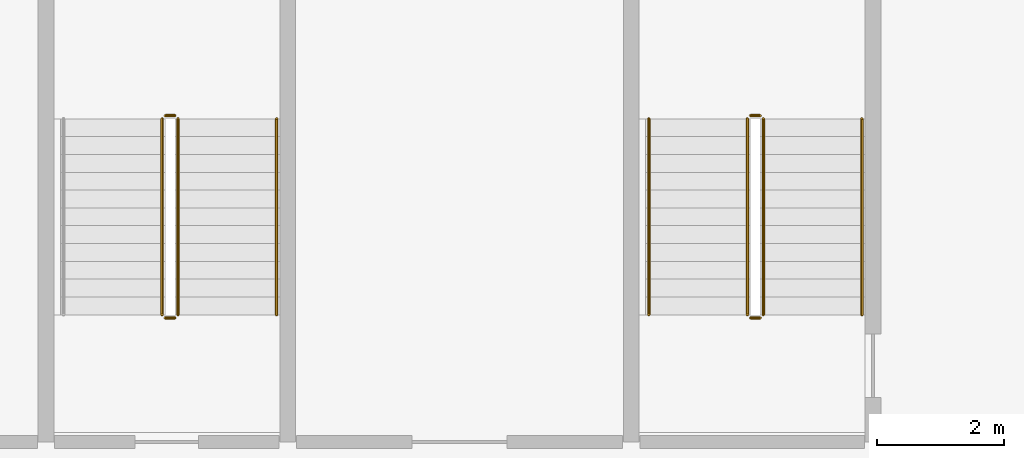
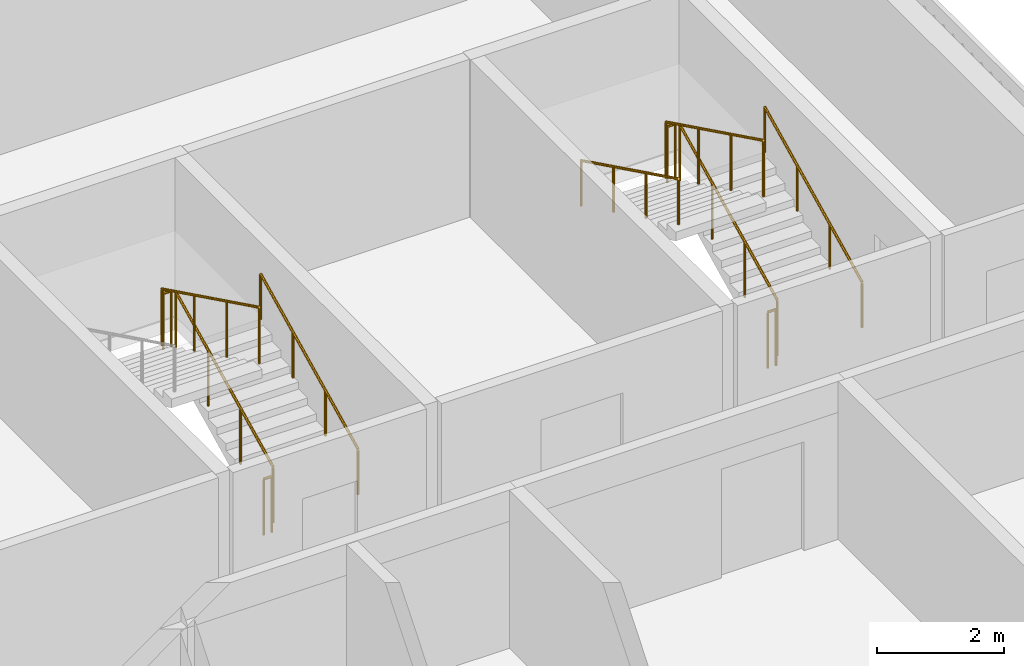
# One storey, part 11 of 18: 11 railings.
"""IFC4 building model written with IfcOpenShell, lengths in metres."""

from ifc_helpers import new_model, si_unit, direction, frame, origin, origin_2d, place, context, subcontext, project, spatial, circle, extrude, material, type_object, element, save


model = new_model("IFC4")

# Units and contexts
model_context = context("Model", 3, precision=1e-05, world=origin(), true_north=direction((0.0, 1.0)))
body_context = subcontext(model_context, "Body", "Model", "MODEL_VIEW")
ifc_project = project(units=[si_unit("LENGTHUNIT", "METRE"), si_unit("AREAUNIT", "SQUARE_METRE"), si_unit("VOLUMEUNIT", "CUBIC_METRE"), si_unit("PLANEANGLEUNIT", "RADIAN"), si_unit("MASSUNIT", "GRAM", prefix="KILO")], contexts=[model_context])

# Site, building, storey
site_placement = place(None, origin())
site = spatial("IfcSite", under=ifc_project, at=site_placement, CompositionType="ELEMENT")
building_placement = place(site_placement, origin())
building = spatial("IfcBuilding", under=site, at=building_placement, Name="Poui Terraces", CompositionType="ELEMENT")
storey_placement = place(building_placement, frame((0.0, 0.0, 272.39990234375)))
storey = spatial("IfcBuildingStorey", under=building, at=storey_placement, Name="L75 CROWN", CompositionType="ELEMENT", Elevation=272.39990234375)

# Railings
ifc_material_1 = material(Name="Galvanised steel balustrade", Category="steel")
railing_type_1 = type_object("IfcRailingType", Name="STAIR GUARD 1100", PredefinedType="GUARDRAIL", material=ifc_material_1)
railing_1_placement = place(storey_placement, frame((70.27490234375, 16.60009765625, 0.1376953125)))
element("IfcRailing", 1, at=railing_1_placement, inside=storey, type_object=railing_type_1, Name="L75 CROWN ST-CE stair guard 1", PredefinedType="GUARDRAIL", context=body_context, shape_type="SweptSolid", body=[
    extrude(circle(Radius=0.02392578125, at=origin_2d()), frame((0.0, 0.0, 1.076171875), z_axis=(0.0, 0.897606190399, 0.440798283751), x_axis=(-1.0, 0.0, 0.0)), (0.0, 0.0, 1.0), 3.43115234375),
    extrude(circle(Radius=0.02099609375, at=origin_2d()), origin(), (0.0, 0.0, 1.0), 1.052001953125),
    extrude(circle(Radius=0.02099609375, at=origin_2d()), frame((0.0, 1.026611328125, 0.504150390625)), (0.0, 0.0, 1.0), 1.052001953125),
    extrude(circle(Radius=0.02099609375, at=origin_2d()), frame((0.0, 2.05322265625, 1.00830078125)), (0.0, 0.0, 1.0), 1.052001953125),
    extrude(circle(Radius=0.02099609375, at=origin_2d()), frame((0.0, 3.079833984375, 1.512451171875)), (0.0, 0.0, 1.0), 1.052001953125),
])
railing_2_placement = place(storey_placement, frame((70.22509765625, 19.72998046875, 1.650146484375)))
element("IfcRailing", 2, at=railing_2_placement, inside=storey, type_object=railing_type_1, Name="L75 CROWN ST-CE stair guard 2", PredefinedType="GUARDRAIL", context=body_context, shape_type="SweptSolid", body=[
    extrude(circle(Radius=0.02392578125, at=origin_2d()), frame((0.0, 0.0, 1.076171875), z_axis=(-1.0, 0.0, 0.0), x_axis=(0.0, -1.0, 0.0)), (0.0, 0.0, 1.0), 0.150146484375),
    extrude(circle(Radius=0.02099609375, at=origin_2d()), origin(), (0.0, 0.0, 1.0), 1.052001953125),
    extrude(circle(Radius=0.02099609375, at=origin_2d()), frame((-0.150146484375, 0.0, 0.0)), (0.0, 0.0, 1.0), 1.052001953125),
])
railing_3_placement = place(storey_placement, frame((70.02490234375, 19.679931640625, 1.78759765625)))
element("IfcRailing", 3, at=railing_3_placement, inside=storey, type_object=railing_type_1, Name="L75 CROWN ST-CE stair guard 3", PredefinedType="GUARDRAIL", context=body_context, shape_type="SweptSolid", body=[
    extrude(circle(Radius=0.02392578125, at=origin_2d()), frame((0.0, 0.0, 1.076171875), z_axis=(0.0, -0.897606190399, 0.440798283751), x_axis=(1.0, 0.0, 0.0)), (0.0, 0.0, 1.0), 3.43115234375),
    extrude(circle(Radius=0.02099609375, at=origin_2d()), origin(), (0.0, 0.0, 1.0), 1.052001953125),
    extrude(circle(Radius=0.02099609375, at=origin_2d()), frame((0.0, -1.026611328125, 0.504150390625)), (0.0, 0.0, 1.0), 1.052001953125),
    extrude(circle(Radius=0.02099609375, at=origin_2d()), frame((0.0, -2.05322265625, 1.00830078125)), (0.0, 0.0, 1.0), 1.052001953125),
    extrude(circle(Radius=0.02099609375, at=origin_2d()), frame((0.0, -3.079833984375, 1.512451171875)), (0.0, 0.0, 1.0), 1.052001953125),
])
railing_4_placement = place(storey_placement, frame((70.22509765625, 16.550048828125, 0.0)))
element("IfcRailing", 4, at=railing_4_placement, inside=storey, type_object=railing_type_1, Name="L75 CROWN ST-CE stair guard 4", PredefinedType="GUARDRAIL", context=body_context, shape_type="SweptSolid", body=[
    extrude(circle(Radius=0.02392578125, at=origin_2d()), frame((0.0, 0.0, 1.076171875), z_axis=(-1.0, 0.0, 0.0), x_axis=(0.0, -1.0, 0.0)), (0.0, 0.0, 1.0), 0.150146484375),
    extrude(circle(Radius=0.02099609375, at=origin_2d()), origin(), (0.0, 0.0, 1.0), 1.052001953125),
    extrude(circle(Radius=0.02099609375, at=origin_2d()), frame((-0.150146484375, 0.0, 0.0)), (0.0, 0.0, 1.0), 1.052001953125),
])
railing_5_placement = place(storey_placement, frame((79.47509765625, 16.60009765625, 0.1376953125)))
element("IfcRailing", 5, at=railing_5_placement, inside=storey, type_object=railing_type_1, Name="L75 CROWN ST-E stair guard 1", PredefinedType="GUARDRAIL", context=body_context, shape_type="SweptSolid", body=[
    extrude(circle(Radius=0.02392578125, at=origin_2d()), frame((0.0, 0.0, 1.076171875), z_axis=(0.0, 0.897606190399, 0.440798283751), x_axis=(-1.0, 0.0, 0.0)), (0.0, 0.0, 1.0), 3.43115234375),
    extrude(circle(Radius=0.02099609375, at=origin_2d()), origin(), (0.0, 0.0, 1.0), 1.052001953125),
    extrude(circle(Radius=0.02099609375, at=origin_2d()), frame((0.0, 1.026611328125, 0.504150390625)), (0.0, 0.0, 1.0), 1.052001953125),
    extrude(circle(Radius=0.02099609375, at=origin_2d()), frame((0.0, 2.05322265625, 1.00830078125)), (0.0, 0.0, 1.0), 1.052001953125),
    extrude(circle(Radius=0.02099609375, at=origin_2d()), frame((0.0, 3.079833984375, 1.512451171875)), (0.0, 0.0, 1.0), 1.052001953125),
])
railing_6_placement = place(storey_placement, frame((79.425048828125, 19.72998046875, 1.650146484375)))
element("IfcRailing", 6, at=railing_6_placement, inside=storey, type_object=railing_type_1, Name="L75 CROWN ST-E stair guard 2", PredefinedType="GUARDRAIL", context=body_context, shape_type="SweptSolid", body=[
    extrude(circle(Radius=0.02392578125, at=origin_2d()), frame((0.0, 0.0, 1.076171875), z_axis=(-1.0, 0.0, 0.0), x_axis=(0.0, -1.0, 0.0)), (0.0, 0.0, 1.0), 0.150146484375),
    extrude(circle(Radius=0.02099609375, at=origin_2d()), origin(), (0.0, 0.0, 1.0), 1.052001953125),
    extrude(circle(Radius=0.02099609375, at=origin_2d()), frame((-0.150146484375, 0.0, 0.0)), (0.0, 0.0, 1.0), 1.052001953125),
])
railing_7_placement = place(storey_placement, frame((79.22509765625, 19.679931640625, 1.78759765625)))
element("IfcRailing", 7, at=railing_7_placement, inside=storey, type_object=railing_type_1, Name="L75 CROWN ST-E stair guard 3", PredefinedType="GUARDRAIL", context=body_context, shape_type="SweptSolid", body=[
    extrude(circle(Radius=0.02392578125, at=origin_2d()), frame((0.0, 0.0, 1.076171875), z_axis=(0.0, -0.897606190399, 0.440798283751), x_axis=(1.0, 0.0, 0.0)), (0.0, 0.0, 1.0), 3.43115234375),
    extrude(circle(Radius=0.02099609375, at=origin_2d()), origin(), (0.0, 0.0, 1.0), 1.052001953125),
    extrude(circle(Radius=0.02099609375, at=origin_2d()), frame((0.0, -1.026611328125, 0.504150390625)), (0.0, 0.0, 1.0), 1.052001953125),
    extrude(circle(Radius=0.02099609375, at=origin_2d()), frame((0.0, -2.05322265625, 1.00830078125)), (0.0, 0.0, 1.0), 1.052001953125),
    extrude(circle(Radius=0.02099609375, at=origin_2d()), frame((0.0, -3.079833984375, 1.512451171875)), (0.0, 0.0, 1.0), 1.052001953125),
])
railing_8_placement = place(storey_placement, frame((79.425048828125, 16.550048828125, 0.0)))
element("IfcRailing", 8, at=railing_8_placement, inside=storey, type_object=railing_type_1, Name="L75 CROWN ST-E stair guard 4", PredefinedType="GUARDRAIL", context=body_context, shape_type="SweptSolid", body=[
    extrude(circle(Radius=0.02392578125, at=origin_2d()), frame((0.0, 0.0, 1.076171875), z_axis=(-1.0, 0.0, 0.0), x_axis=(0.0, -1.0, 0.0)), (0.0, 0.0, 1.0), 0.150146484375),
    extrude(circle(Radius=0.02099609375, at=origin_2d()), origin(), (0.0, 0.0, 1.0), 1.052001953125),
    extrude(circle(Radius=0.02099609375, at=origin_2d()), frame((-0.150146484375, 0.0, 0.0)), (0.0, 0.0, 1.0), 1.052001953125),
])
ifc_material_2 = material(Name="Stainless steel handrail", Category="steel")
railing_type_2 = type_object("IfcRailingType", Name="STAIR HANDRAIL 900", PredefinedType="HANDRAIL", material=ifc_material_2)
for number, where, name in (
    (9, (71.824951171875, 16.60009765625, 0.1376953125), "L75 CROWN ST-CE stair handrail 1"),
    (10, (81.02490234375, 16.60009765625, 0.1376953125), "L75 CROWN ST-E stair handrail 1"),
):
    element("IfcRailing", number, at=place(storey_placement, frame(where)), inside=storey, type_object=railing_type_2, Name=name, PredefinedType="HANDRAIL", context=body_context, shape_type="SweptSolid", body=[
        extrude(circle(Radius=0.02392578125, at=origin_2d()), frame((0.0, 0.0, 0.8759765625), z_axis=(0.0, 0.897606190399, 0.440798283751), x_axis=(-1.0, 0.0, 0.0)), (0.0, 0.0, 1.0), 3.43115234375),
        extrude(circle(Radius=0.02099609375, at=origin_2d()), origin(), (0.0, 0.0, 1.0), 0.851806640625),
        extrude(circle(Radius=0.02099609375, at=origin_2d()), frame((0.0, 1.026611328125, 0.504150390625)), (0.0, 0.0, 1.0), 0.851806640625),
        extrude(circle(Radius=0.02099609375, at=origin_2d()), frame((0.0, 2.05322265625, 1.00830078125)), (0.0, 0.0, 1.0), 0.851806640625),
        extrude(circle(Radius=0.02099609375, at=origin_2d()), frame((0.0, 3.079833984375, 1.512451171875)), (0.0, 0.0, 1.0), 0.851806640625),
    ])
railing_9_placement = place(storey_placement, frame((77.675048828125, 19.679931640625, 1.78759765625)))
element("IfcRailing", 11, at=railing_9_placement, inside=storey, type_object=railing_type_2, Name="L75 CROWN ST-E stair handrail 2", PredefinedType="HANDRAIL", context=body_context, shape_type="SweptSolid", body=[
    extrude(circle(Radius=0.02392578125, at=origin_2d()), frame((0.0, 0.0, 0.8759765625), z_axis=(0.0, -0.897606190399, 0.440798283751), x_axis=(1.0, 0.0, 0.0)), (0.0, 0.0, 1.0), 3.43115234375),
    extrude(circle(Radius=0.02099609375, at=origin_2d()), origin(), (0.0, 0.0, 1.0), 0.851806640625),
    extrude(circle(Radius=0.02099609375, at=origin_2d()), frame((0.0, -1.026611328125, 0.504150390625)), (0.0, 0.0, 1.0), 0.851806640625),
    extrude(circle(Radius=0.02099609375, at=origin_2d()), frame((0.0, -2.05322265625, 1.00830078125)), (0.0, 0.0, 1.0), 0.851806640625),
    extrude(circle(Radius=0.02099609375, at=origin_2d()), frame((0.0, -3.079833984375, 1.512451171875)), (0.0, 0.0, 1.0), 0.851806640625),
])

save(model, "model.ifc")
